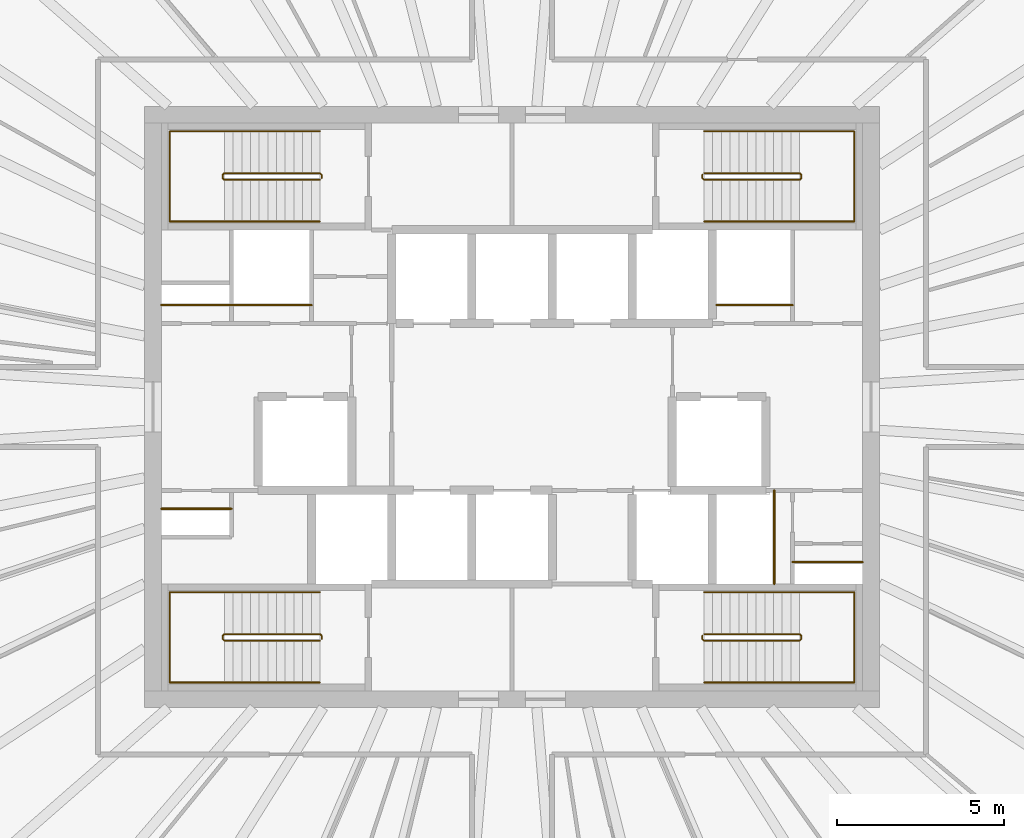
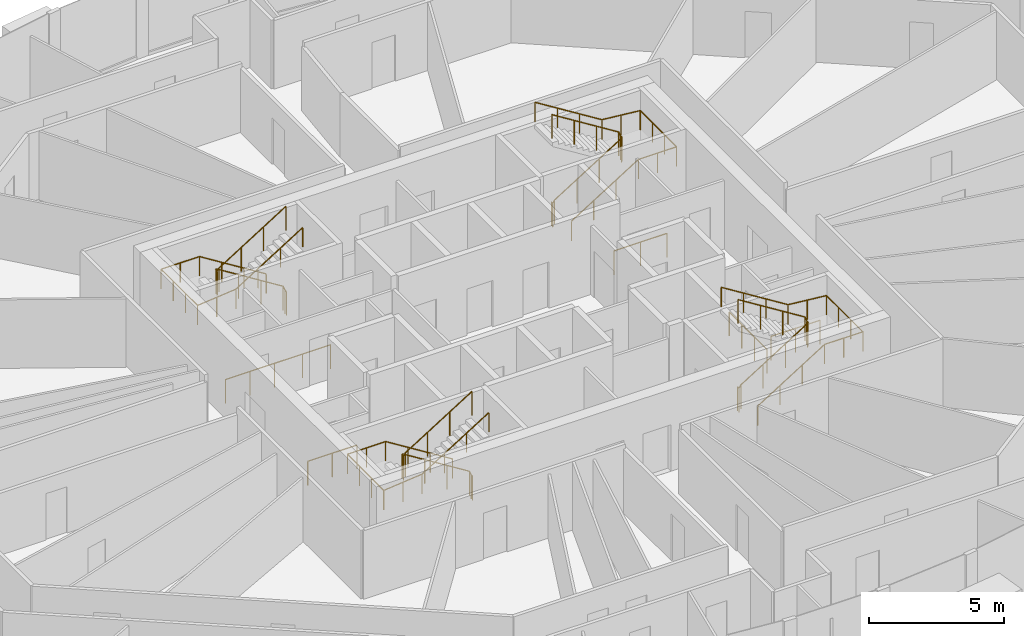
# One storey, part 12 of 12: 14 railings.
"""IFC4 building model written with IfcOpenShell, lengths in metres."""

from ifc_helpers import new_model, si_unit, direction, frame, origin, origin_2d, place, context, subcontext, project, spatial, circle, extrude, source, transform, mapped, material, type_object, element, save


model = new_model("IFC4")

# Units and contexts
model_context = context("Model", 3, precision=1e-05, world=origin(), true_north=direction((0.0, 1.0)))
body_context = subcontext(model_context, "Body", "Model", "MODEL_VIEW")
ifc_project = project(units=[si_unit("LENGTHUNIT", "METRE"), si_unit("AREAUNIT", "SQUARE_METRE"), si_unit("VOLUMEUNIT", "CUBIC_METRE"), si_unit("PLANEANGLEUNIT", "RADIAN"), si_unit("MASSUNIT", "GRAM", prefix="KILO")], contexts=[model_context])

# Site, building, storey
site_placement = place(None, origin())
site = spatial("IfcSite", under=ifc_project, at=site_placement, CompositionType="ELEMENT")
building_placement = place(site_placement, origin())
building = spatial("IfcBuilding", under=site, at=building_placement, Name="Embergate Tower", CompositionType="ELEMENT")
storey_placement = place(building_placement, frame((0.0, 0.0, 273.39990234375)))
storey = spatial("IfcBuildingStorey", under=building, at=storey_placement, Name="L63", CompositionType="ELEMENT", Elevation=273.39990234375)

# Railings
ifc_material_1 = material(Name="Stair guard 1100")
railing_type_1 = type_object("IfcRailingType", Name="Stair guard 1100", PredefinedType="GUARDRAIL", material=ifc_material_1)
shared_shape_1 = source(origin(), body_context, "Body", "SweptSolid", [
    extrude(circle(Radius=0.02392578125, at=origin_2d()), frame((0.0, 0.0, 1.076171875), z_axis=(0.0, 1.0, 0.0), x_axis=(-1.0, 0.0, 0.0)), (0.0, 0.0, 1.0), 0.099853515625),
    extrude(circle(Radius=0.02392578125, at=origin_2d()), frame((0.0, 0.099853515625, 1.076171875), z_axis=(-0.282227285176, 0.282227285176, 0.916894497205), x_axis=(-0.707106781187, -0.707106781187, 0.0)), (0.0, 0.0, 1.0), 0.17724609375),
    extrude(circle(Radius=0.02392578125, at=origin_2d()), frame((-0.050048828125, 0.14990234375, 1.23876953125), z_axis=(-0.847994237388, 0.0, 0.530005446535), x_axis=(0.0, -1.0, 0.0)), (0.0, 0.0, 1.0), 3.372802734375),
    extrude(circle(Radius=0.02392578125, at=origin_2d()), frame((-2.91015625, 0.14990234375, 3.0263671875), z_axis=(-0.705375805398, -0.708833529934, 0.0), x_axis=(0.708833529934, -0.705375805398, 0.0)), (0.0, 0.0, 1.0), 0.070556640625),
    extrude(circle(Radius=0.02392578125, at=origin_2d()), frame((-2.9599609375, 0.099853515625, 3.0263671875), z_axis=(0.0, -1.0, 0.0), x_axis=(1.0, 0.0, 0.0)), (0.0, 0.0, 1.0), 0.099853515625),
    extrude(circle(Radius=0.02392578125, at=origin_2d()), frame((-2.9599609375, 0.0, 3.0263671875), z_axis=(0.281314826061, -0.282693820306, 0.917031173188), x_axis=(0.708833529934, 0.705375805398, 0.0)), (0.0, 0.0, 1.0), 0.177001953125),
    extrude(circle(Radius=0.02392578125, at=origin_2d()), frame((-2.91015625, -0.050048828125, 3.1884765625), z_axis=(0.847994237388, 0.0, 0.530005446535), x_axis=(0.0, 1.0, 0.0)), (0.0, 0.0, 1.0), 3.372802734375),
    extrude(circle(Radius=0.02099609375, at=origin_2d()), origin(), (0.0, 0.0, 1.0), 1.052001953125),
    extrude(circle(Radius=0.02099609375, at=origin_2d()), frame((0.0, 0.099853515625, 0.0)), (0.0, 0.0, 1.0), 1.052001953125),
    extrude(circle(Radius=0.02099609375, at=origin_2d()), frame((-0.050048828125, 0.14990234375, 0.16259765625)), (0.0, 0.0, 1.0), 1.052001953125),
    extrude(circle(Radius=0.02099609375, at=origin_2d()), frame((-1.00341796875, 0.14990234375, 0.758544921875)), (0.0, 0.0, 1.0), 1.052001953125),
    extrude(circle(Radius=0.02099609375, at=origin_2d()), frame((-1.956787109375, 0.14990234375, 1.354248046875)), (0.0, 0.0, 1.0), 1.052001953125),
    extrude(circle(Radius=0.02099609375, at=origin_2d()), frame((-2.91015625, 0.14990234375, 1.9501953125)), (0.0, 0.0, 1.0), 1.052001953125),
    extrude(circle(Radius=0.02099609375, at=origin_2d()), frame((-2.9599609375, 0.099853515625, 1.9501953125)), (0.0, 0.0, 1.0), 1.052001953125),
    extrude(circle(Radius=0.02099609375, at=origin_2d()), frame((-2.9599609375, 0.0, 1.9501953125)), (0.0, 0.0, 1.0), 1.052001953125),
    extrude(circle(Radius=0.02099609375, at=origin_2d()), frame((-2.91015625, -0.050048828125, 2.112548828125)), (0.0, 0.0, 1.0), 1.052001953125),
    extrude(circle(Radius=0.02099609375, at=origin_2d()), frame((-1.956787109375, -0.050048828125, 2.70849609375)), (0.0, 0.0, 1.0), 1.052001953125),
    extrude(circle(Radius=0.02099609375, at=origin_2d()), frame((-1.00341796875, -0.050048828125, 3.30419921875)), (0.0, 0.0, 1.0), 1.052001953125),
    extrude(circle(Radius=0.02099609375, at=origin_2d()), frame((-0.050048828125, -0.050048828125, 3.900146484375)), (0.0, 0.0, 1.0), 1.052001953125),
])
for number, where, name in (
    (1, (-5.699951171875, 6.85009765625, 0.0), "L63 ST1 stair guard 1"),
    (2, (-5.699951171875, -6.949951171875, 0.0), "L63 ST3 stair guard 1"),
):
    element("IfcRailing", number, at=place(storey_placement, frame(where)), inside=storey, type_object=railing_type_1, Name=name, PredefinedType="GUARDRAIL", context=body_context, shape_type="MappedRepresentation", body=[
        mapped(shared_shape_1, transform((0.0, 0.0, 0.0))),
    ])
ifc_material_2 = material(Name="Stair handrail 900")
railing_type_2 = type_object("IfcRailingType", Name="Stair handrail 900", PredefinedType="HANDRAIL", material=ifc_material_2)
shared_shape_2 = source(origin(), body_context, "Body", "SweptSolid", [
    extrude(circle(Radius=0.02392578125, at=origin_2d()), frame((0.0, 0.0, 0.8759765625), z_axis=(-0.847994237388, 0.0, 0.530005446535), x_axis=(0.0, -1.0, 0.0)), (0.0, 0.0, 1.0), 3.372802734375),
    extrude(circle(Radius=0.02392578125, at=origin_2d()), frame((-2.860107421875, 0.0, 2.66357421875), z_axis=(-1.0, 0.0, 0.0), x_axis=(0.0, -1.0, 0.0)), (0.0, 0.0, 1.0), 1.639892578125),
    extrude(circle(Radius=0.02392578125, at=origin_2d()), frame((-4.5, 0.0, 2.66357421875), z_axis=(0.0, -1.0, 0.0), x_axis=(1.0, 0.0, 0.0)), (0.0, 0.0, 1.0), 2.699951171875),
    extrude(circle(Radius=0.02392578125, at=origin_2d()), frame((-4.5, -2.699951171875, 2.66357421875), z_axis=(0.995134983717, 0.0, 0.098520881967), x_axis=(0.0, 1.0, 0.0)), (0.0, 0.0, 1.0), 1.64794921875),
    extrude(circle(Radius=0.02392578125, at=origin_2d()), frame((-2.860107421875, -2.699951171875, 2.82568359375), z_axis=(0.847994237388, 0.0, 0.530005446535), x_axis=(0.0, 1.0, 0.0)), (0.0, 0.0, 1.0), 3.372802734375),
    extrude(circle(Radius=0.02099609375, at=origin_2d()), origin(), (0.0, 0.0, 1.0), 0.851806640625),
    extrude(circle(Radius=0.02099609375, at=origin_2d()), frame((-0.953369140625, 0.0, 0.595947265625)), (0.0, 0.0, 1.0), 0.851806640625),
    extrude(circle(Radius=0.02099609375, at=origin_2d()), frame((-1.90673828125, 0.0, 1.191650390625)), (0.0, 0.0, 1.0), 0.851806640625),
    extrude(circle(Radius=0.02099609375, at=origin_2d()), frame((-2.860107421875, 0.0, 1.78759765625)), (0.0, 0.0, 1.0), 0.851806640625),
    extrude(circle(Radius=0.02099609375, at=origin_2d()), frame((-3.68017578125, 0.0, 1.78759765625)), (0.0, 0.0, 1.0), 0.851806640625),
    extrude(circle(Radius=0.02099609375, at=origin_2d()), frame((-4.5, 0.0, 1.78759765625)), (0.0, 0.0, 1.0), 0.851806640625),
    extrude(circle(Radius=0.02099609375, at=origin_2d()), frame((-4.5, -0.89990234375, 1.78759765625)), (0.0, 0.0, 1.0), 0.851806640625),
    extrude(circle(Radius=0.02099609375, at=origin_2d()), frame((-4.5, -1.800048828125, 1.78759765625)), (0.0, 0.0, 1.0), 0.851806640625),
    extrude(circle(Radius=0.02099609375, at=origin_2d()), frame((-4.5, -2.699951171875, 1.78759765625)), (0.0, 0.0, 1.0), 0.851806640625),
    extrude(circle(Radius=0.02099609375, at=origin_2d()), frame((-3.68017578125, -2.699951171875, 1.86865234375)), (0.0, 0.0, 1.0), 0.851806640625),
    extrude(circle(Radius=0.02099609375, at=origin_2d()), frame((-2.860107421875, -2.699951171875, 1.949951171875)), (0.0, 0.0, 1.0), 0.851806640625),
    extrude(circle(Radius=0.02099609375, at=origin_2d()), frame((-1.90673828125, -2.699951171875, 2.5458984375)), (0.0, 0.0, 1.0), 0.851806640625),
    extrude(circle(Radius=0.02099609375, at=origin_2d()), frame((-0.953369140625, -2.699951171875, 3.1416015625)), (0.0, 0.0, 1.0), 0.851806640625),
    extrude(circle(Radius=0.02099609375, at=origin_2d()), frame((0.0, -2.699951171875, 3.737548828125)), (0.0, 0.0, 1.0), 0.851806640625),
])
for number, where, name in (
    (3, (-5.75, 8.25, 0.16259765625), "L63 ST1 stair handrail 1"),
    (4, (-5.75, -5.550048828125, 0.16259765625), "L63 ST3 stair handrail 1"),
):
    element("IfcRailing", number, at=place(storey_placement, frame(where)), inside=storey, type_object=railing_type_2, Name=name, PredefinedType="HANDRAIL", context=body_context, shape_type="MappedRepresentation", body=[
        mapped(shared_shape_2, transform((0.0, 0.0, 0.0))),
    ])
shared_shape_3 = source(origin(), body_context, "Body", "SweptSolid", [
    extrude(circle(Radius=0.02392578125, at=origin_2d()), frame((0.0, 0.0, 1.076171875), z_axis=(0.0, -1.0, 0.0), x_axis=(1.0, 0.0, 0.0)), (0.0, 0.0, 1.0), 0.099853515625),
    extrude(circle(Radius=0.02392578125, at=origin_2d()), frame((0.0, -0.099853515625, 1.076171875), z_axis=(0.282227285176, -0.282227285176, 0.916894497205), x_axis=(0.707106781187, 0.707106781187, 0.0)), (0.0, 0.0, 1.0), 0.17724609375),
    extrude(circle(Radius=0.02392578125, at=origin_2d()), frame((0.050048828125, -0.14990234375, 1.23876953125), z_axis=(0.847994237388, 0.0, 0.530005446535), x_axis=(0.0, 1.0, 0.0)), (0.0, 0.0, 1.0), 3.372802734375),
    extrude(circle(Radius=0.02392578125, at=origin_2d()), frame((2.91015625, -0.14990234375, 3.0263671875), z_axis=(0.705375805398, 0.708833529934, 0.0), x_axis=(-0.708833529934, 0.705375805398, 0.0)), (0.0, 0.0, 1.0), 0.070556640625),
    extrude(circle(Radius=0.02392578125, at=origin_2d()), frame((2.9599609375, -0.099853515625, 3.0263671875), z_axis=(0.0, 1.0, 0.0), x_axis=(-1.0, 0.0, 0.0)), (0.0, 0.0, 1.0), 0.099853515625),
    extrude(circle(Radius=0.02392578125, at=origin_2d()), frame((2.9599609375, 0.0, 3.0263671875), z_axis=(-0.281314826061, 0.282693820306, 0.917031173188), x_axis=(-0.708833529934, -0.705375805398, 0.0)), (0.0, 0.0, 1.0), 0.177001953125),
    extrude(circle(Radius=0.02392578125, at=origin_2d()), frame((2.91015625, 0.050048828125, 3.1884765625), z_axis=(-0.847994237388, 0.0, 0.530005446535), x_axis=(0.0, -1.0, 0.0)), (0.0, 0.0, 1.0), 3.372802734375),
    extrude(circle(Radius=0.02099609375, at=origin_2d()), origin(), (0.0, 0.0, 1.0), 1.052001953125),
    extrude(circle(Radius=0.02099609375, at=origin_2d()), frame((0.0, -0.099853515625, 0.0)), (0.0, 0.0, 1.0), 1.052001953125),
    extrude(circle(Radius=0.02099609375, at=origin_2d()), frame((0.050048828125, -0.14990234375, 0.16259765625)), (0.0, 0.0, 1.0), 1.052001953125),
    extrude(circle(Radius=0.02099609375, at=origin_2d()), frame((1.00341796875, -0.14990234375, 0.758544921875)), (0.0, 0.0, 1.0), 1.052001953125),
    extrude(circle(Radius=0.02099609375, at=origin_2d()), frame((1.956787109375, -0.14990234375, 1.354248046875)), (0.0, 0.0, 1.0), 1.052001953125),
    extrude(circle(Radius=0.02099609375, at=origin_2d()), frame((2.91015625, -0.14990234375, 1.9501953125)), (0.0, 0.0, 1.0), 1.052001953125),
    extrude(circle(Radius=0.02099609375, at=origin_2d()), frame((2.9599609375, -0.099853515625, 1.9501953125)), (0.0, 0.0, 1.0), 1.052001953125),
    extrude(circle(Radius=0.02099609375, at=origin_2d()), frame((2.9599609375, 0.0, 1.9501953125)), (0.0, 0.0, 1.0), 1.052001953125),
    extrude(circle(Radius=0.02099609375, at=origin_2d()), frame((2.91015625, 0.050048828125, 2.112548828125)), (0.0, 0.0, 1.0), 1.052001953125),
    extrude(circle(Radius=0.02099609375, at=origin_2d()), frame((1.956787109375, 0.050048828125, 2.70849609375)), (0.0, 0.0, 1.0), 1.052001953125),
    extrude(circle(Radius=0.02099609375, at=origin_2d()), frame((1.00341796875, 0.050048828125, 3.30419921875)), (0.0, 0.0, 1.0), 1.052001953125),
    extrude(circle(Radius=0.02099609375, at=origin_2d()), frame((0.050048828125, 0.050048828125, 3.900146484375)), (0.0, 0.0, 1.0), 1.052001953125),
])
for number, where, name in (
    (5, (5.699951171875, 6.949951171875, 0.0), "L63 ST2 stair guard 1"),
    (6, (5.699951171875, -6.85009765625, 0.0), "L63 ST4 stair guard 1"),
):
    element("IfcRailing", number, at=place(storey_placement, frame(where)), inside=storey, type_object=railing_type_1, Name=name, PredefinedType="GUARDRAIL", context=body_context, shape_type="MappedRepresentation", body=[
        mapped(shared_shape_3, transform((0.0, 0.0, 0.0))),
    ])
shared_shape_4 = source(origin(), body_context, "Body", "SweptSolid", [
    extrude(circle(Radius=0.02392578125, at=origin_2d()), frame((0.0, 0.0, 0.8759765625), z_axis=(0.847994237388, 0.0, 0.530005446535), x_axis=(0.0, 1.0, 0.0)), (0.0, 0.0, 1.0), 3.372802734375),
    extrude(circle(Radius=0.02392578125, at=origin_2d()), frame((2.860107421875, 0.0, 2.66357421875), z_axis=(1.0, 0.0, 0.0), x_axis=(0.0, 1.0, 0.0)), (0.0, 0.0, 1.0), 1.639892578125),
    extrude(circle(Radius=0.02392578125, at=origin_2d()), frame((4.5, 0.0, 2.66357421875), z_axis=(0.0, 1.0, 0.0), x_axis=(-1.0, 0.0, 0.0)), (0.0, 0.0, 1.0), 2.699951171875),
    extrude(circle(Radius=0.02392578125, at=origin_2d()), frame((4.5, 2.699951171875, 2.66357421875), z_axis=(-0.995134983717, 0.0, 0.098520881967), x_axis=(0.0, -1.0, 0.0)), (0.0, 0.0, 1.0), 1.64794921875),
    extrude(circle(Radius=0.02392578125, at=origin_2d()), frame((2.860107421875, 2.699951171875, 2.82568359375), z_axis=(-0.847994237388, 0.0, 0.530005446535), x_axis=(0.0, -1.0, 0.0)), (0.0, 0.0, 1.0), 3.372802734375),
    extrude(circle(Radius=0.02099609375, at=origin_2d()), origin(), (0.0, 0.0, 1.0), 0.851806640625),
    extrude(circle(Radius=0.02099609375, at=origin_2d()), frame((0.953369140625, 0.0, 0.595947265625)), (0.0, 0.0, 1.0), 0.851806640625),
    extrude(circle(Radius=0.02099609375, at=origin_2d()), frame((1.90673828125, 0.0, 1.191650390625)), (0.0, 0.0, 1.0), 0.851806640625),
    extrude(circle(Radius=0.02099609375, at=origin_2d()), frame((2.860107421875, 0.0, 1.78759765625)), (0.0, 0.0, 1.0), 0.851806640625),
    extrude(circle(Radius=0.02099609375, at=origin_2d()), frame((3.68017578125, 0.0, 1.78759765625)), (0.0, 0.0, 1.0), 0.851806640625),
    extrude(circle(Radius=0.02099609375, at=origin_2d()), frame((4.5, 0.0, 1.78759765625)), (0.0, 0.0, 1.0), 0.851806640625),
    extrude(circle(Radius=0.02099609375, at=origin_2d()), frame((4.5, 0.89990234375, 1.78759765625)), (0.0, 0.0, 1.0), 0.851806640625),
    extrude(circle(Radius=0.02099609375, at=origin_2d()), frame((4.5, 1.800048828125, 1.78759765625)), (0.0, 0.0, 1.0), 0.851806640625),
    extrude(circle(Radius=0.02099609375, at=origin_2d()), frame((4.5, 2.699951171875, 1.78759765625)), (0.0, 0.0, 1.0), 0.851806640625),
    extrude(circle(Radius=0.02099609375, at=origin_2d()), frame((3.68017578125, 2.699951171875, 1.86865234375)), (0.0, 0.0, 1.0), 0.851806640625),
    extrude(circle(Radius=0.02099609375, at=origin_2d()), frame((2.860107421875, 2.699951171875, 1.949951171875)), (0.0, 0.0, 1.0), 0.851806640625),
    extrude(circle(Radius=0.02099609375, at=origin_2d()), frame((1.90673828125, 2.699951171875, 2.5458984375)), (0.0, 0.0, 1.0), 0.851806640625),
    extrude(circle(Radius=0.02099609375, at=origin_2d()), frame((0.953369140625, 2.699951171875, 3.1416015625)), (0.0, 0.0, 1.0), 0.851806640625),
    extrude(circle(Radius=0.02099609375, at=origin_2d()), frame((0.0, 2.699951171875, 3.737548828125)), (0.0, 0.0, 1.0), 0.851806640625),
])
for number, where, name in (
    (7, (5.75, 5.550048828125, 0.16259765625), "L63 ST2 stair handrail 1"),
    (8, (5.75, -8.25, 0.16259765625), "L63 ST4 stair handrail 1"),
):
    element("IfcRailing", number, at=place(storey_placement, frame(where)), inside=storey, type_object=railing_type_2, Name=name, PredefinedType="HANDRAIL", context=body_context, shape_type="MappedRepresentation", body=[
        mapped(shared_shape_4, transform((0.0, 0.0, 0.0))),
    ])
ifc_material_3 = material(Name="Opening guard 1100")
railing_type_3 = type_object("IfcRailingType", Name="Opening guard 1100", PredefinedType="GUARDRAIL", material=ifc_material_3)
shared_shape_5 = source(origin(), body_context, "Body", "SweptSolid", [
    extrude(circle(Radius=0.02392578125, at=origin_2d()), frame((0.0, 0.0, 1.076171875), z_axis=(1.0, 0.0, 0.0), x_axis=(0.0, 1.0, 0.0)), (0.0, 0.0, 1.0), 2.27490234375),
    extrude(circle(Radius=0.02099609375, at=origin_2d()), origin(), (0.0, 0.0, 1.0), 1.052001953125),
    extrude(circle(Radius=0.02099609375, at=origin_2d()), frame((1.137451171875, 0.0, 0.0)), (0.0, 0.0, 1.0), 1.052001953125),
    extrude(circle(Radius=0.02099609375, at=origin_2d()), frame((2.27490234375, 0.0, 0.0)), (0.0, 0.0, 1.0), 1.052001953125),
])
railing_1_placement = place(storey_placement, frame((6.125, 3.050048828125, 0.0)))
element("IfcRailing", 9, at=railing_1_placement, inside=storey, type_object=railing_type_3, Name="Riser opening guard", PredefinedType="GUARDRAIL", context=body_context, shape_type="MappedRepresentation", body=[
    mapped(shared_shape_5, transform((0.0, 0.0, 0.0))),
])
shared_shape_6 = source(origin(), body_context, "Body", "SweptSolid", [
    extrude(circle(Radius=0.02392578125, at=origin_2d()), frame((0.0, 0.0, 1.076171875), z_axis=(0.0, 1.0, 0.0), x_axis=(-1.0, 0.0, 0.0)), (0.0, 0.0, 1.0), 2.800048828125),
    extrude(circle(Radius=0.02099609375, at=origin_2d()), origin(), (0.0, 0.0, 1.0), 1.052001953125),
    extrude(circle(Radius=0.02099609375, at=origin_2d()), frame((0.0, 0.933349609375, 0.0)), (0.0, 0.0, 1.0), 1.052001953125),
    extrude(circle(Radius=0.02099609375, at=origin_2d()), frame((0.0, 1.86669921875, 0.0)), (0.0, 0.0, 1.0), 1.052001953125),
    extrude(circle(Radius=0.02099609375, at=origin_2d()), frame((0.0, 2.800048828125, 0.0)), (0.0, 0.0, 1.0), 1.052001953125),
])
railing_2_placement = place(storey_placement, frame((7.85009765625, -5.300048828125, 0.0)))
element("IfcRailing", 10, at=railing_2_placement, inside=storey, type_object=railing_type_3, Name="Riser opening guard", PredefinedType="GUARDRAIL", context=body_context, shape_type="MappedRepresentation", body=[
    mapped(shared_shape_6, transform((0.0, 0.0, 0.0))),
])
shared_shape_7 = source(origin(), body_context, "Body", "SweptSolid", [
    extrude(circle(Radius=0.02392578125, at=origin_2d()), frame((0.0, 0.0, 1.076171875), z_axis=(1.0, 0.0, 0.0), x_axis=(0.0, 1.0, 0.0)), (0.0, 0.0, 1.0), 2.39990234375),
    extrude(circle(Radius=0.02099609375, at=origin_2d()), origin(), (0.0, 0.0, 1.0), 1.052001953125),
    extrude(circle(Radius=0.02099609375, at=origin_2d()), frame((1.199951171875, 0.0, 0.0)), (0.0, 0.0, 1.0), 1.052001953125),
    extrude(circle(Radius=0.02099609375, at=origin_2d()), frame((2.39990234375, 0.0, 0.0)), (0.0, 0.0, 1.0), 1.052001953125),
])
railing_3_placement = place(storey_placement, frame((-8.39990234375, 3.050048828125, 0.0)))
element("IfcRailing", 11, at=railing_3_placement, inside=storey, type_object=railing_type_3, Name="Riser opening guard", PredefinedType="GUARDRAIL", context=body_context, shape_type="MappedRepresentation", body=[
    mapped(shared_shape_7, transform((0.0, 0.0, 0.0))),
])
shared_shape_8 = source(origin(), body_context, "Body", "SweptSolid", [
    extrude(circle(Radius=0.02392578125, at=origin_2d()), frame((0.0, 0.0, 1.076171875), z_axis=(1.0, 0.0, 0.0), x_axis=(0.0, 1.0, 0.0)), (0.0, 0.0, 1.0), 2.10009765625),
    extrude(circle(Radius=0.02099609375, at=origin_2d()), origin(), (0.0, 0.0, 1.0), 1.052001953125),
    extrude(circle(Radius=0.02099609375, at=origin_2d()), frame((1.050048828125, 0.0, 0.0)), (0.0, 0.0, 1.0), 1.052001953125),
    extrude(circle(Radius=0.02099609375, at=origin_2d()), frame((2.10009765625, 0.0, 0.0)), (0.0, 0.0, 1.0), 1.052001953125),
])
for number, where, name in (
    (12, (-10.5, 3.050048828125, 0.0), "Riser opening guard"),
    (13, (-10.5, -3.050048828125, 0.0), "Riser opening guard"),
    (14, (8.39990234375, -4.64599609375, 0.0), "Riser opening guard"),
):
    element("IfcRailing", number, at=place(storey_placement, frame(where)), inside=storey, type_object=railing_type_3, Name=name, PredefinedType="GUARDRAIL", context=body_context, shape_type="MappedRepresentation", body=[
        mapped(shared_shape_8, transform((0.0, 0.0, 0.0))),
    ])

save(model, "model.ifc")
